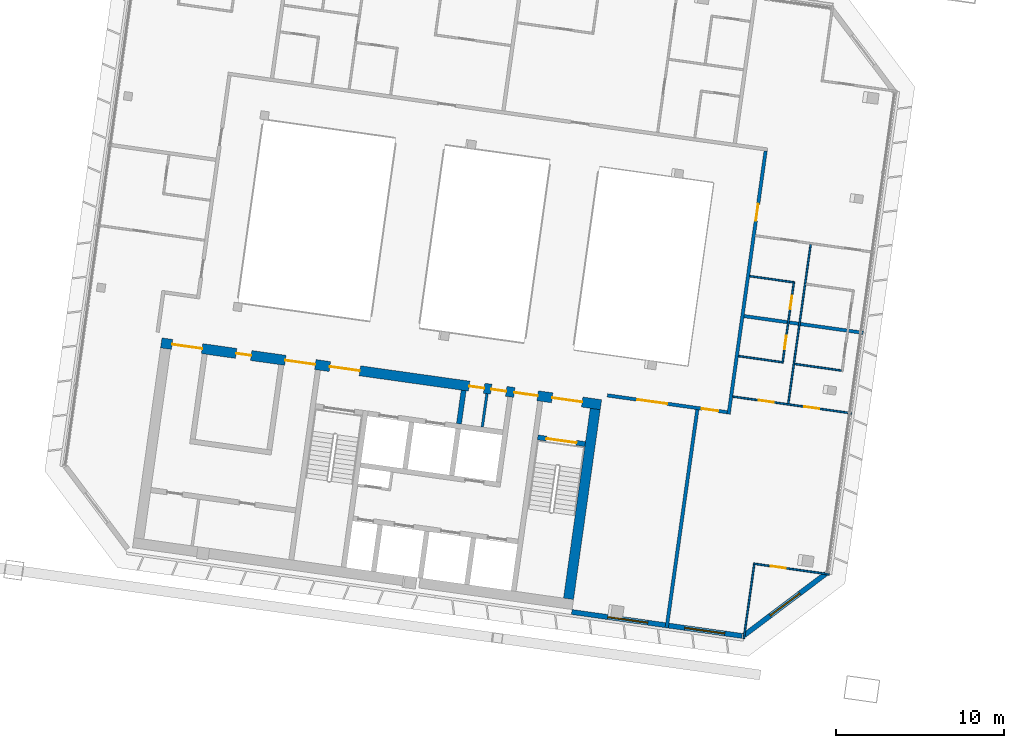
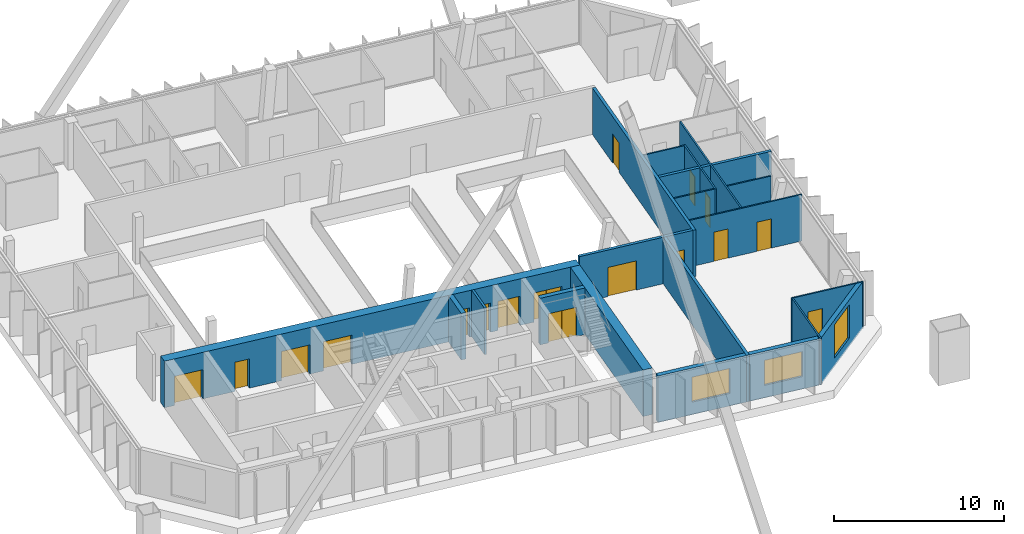
# One storey, part 20 of 28: 19 walls, 17 doors, 3 windows, 20 openings.
"""IFC4 building model written with IfcOpenShell, lengths in metres."""

from ifc_helpers import new_model, si_unit, direction, frame, frame_2d, origin, place, context, subcontext, project, spatial, rectangle, extrude, material, layer, layer_set, type_object, element, fill, save


model = new_model("IFC4")

# Units and contexts
model_context = context("Model", 3, precision=1e-05, world=origin(), true_north=direction((0.0, 1.0)))
body_context = subcontext(model_context, "Body", "Model", "MODEL_VIEW")
ifc_project = project(units=[si_unit("LENGTHUNIT", "METRE"), si_unit("AREAUNIT", "SQUARE_METRE"), si_unit("VOLUMEUNIT", "CUBIC_METRE"), si_unit("PLANEANGLEUNIT", "RADIAN"), si_unit("MASSUNIT", "GRAM", prefix="KILO")], contexts=[model_context])

# Site, building, storey
site_placement = place(None, origin())
site = spatial("IfcSite", under=ifc_project, at=site_placement, CompositionType="ELEMENT")
building_placement = place(site_placement, origin())
building = spatial("IfcBuilding", under=site, at=building_placement, Name="Mirante Cascada Hotel Towers", CompositionType="ELEMENT")
storey_placement = place(building_placement, frame((0.0, 0.0, 243.2)))
storey = spatial("IfcBuildingStorey", under=building, at=storey_placement, Name="L58", CompositionType="ELEMENT", Elevation=243.2)

# Wall, openings, doors
ifc_material_1 = material(Name="Fire-rated plasterboard on metal studs")
ifc_layer_1 = layer(ifc_material_1, 0.2)
ifc_layer_set_1 = layer_set([ifc_layer_1], Name="Compartment wall 200 EI 120")
wall_type_1 = type_object("IfcWallType", Name="Compartment wall 200 EI 120", PredefinedType="PARTITIONING", material=ifc_layer_set_1)
wall_1_placement = place(storey_placement, frame((-35.2634, -7.1173, 0.0), z_axis=(0.0, 0.0, 1.0), x_axis=(0.9902689, -0.1391674, 0.0)))
wall_1 = element("IfcWall", 1, at=wall_1_placement, inside=storey, type_object=wall_type_1, Name="Wall 1-L58-02", PredefinedType="PARTITIONING", context=body_context, shape_type="SweptSolid", body=[
    extrude(rectangle(XDim=7.2, YDim=0.2, at=frame_2d((3.6, 0.0))), origin(), (0.0, 0.0, 1.0), 3.35),
])
opening_1_placement = place(wall_1_placement, frame((5.6594, 0.0, 0.0)))
opening_1 = element("IfcOpeningElement", 2, at=opening_1_placement, cuts=wall_1, Name="Opening D1-L58-02", PredefinedType="OPENING", context=body_context, shape_type="SweptSolid", body=[
    extrude(rectangle(XDim=1.0, YDim=2.1, at=frame_2d((0.5, 1.05))), frame((0.0, 0.1, 0.0), z_axis=(0.0, -1.0, 0.0), x_axis=(1.0, 0.0, 0.0)), (0.0, 0.0, 1.0), 0.2),
])
opening_2_placement = place(wall_1_placement, frame((1.8094, 0.0, 0.0)))
opening_2 = element("IfcOpeningElement", 3, at=opening_2_placement, cuts=wall_1, Name="Opening D1-L58-03", PredefinedType="OPENING", context=body_context, shape_type="SweptSolid", body=[
    extrude(rectangle(XDim=1.8, YDim=2.1, at=frame_2d((0.9, 1.05))), frame((0.0, 0.1, 0.0), z_axis=(0.0, -1.0, 0.0), x_axis=(1.0, 0.0, 0.0)), (0.0, 0.0, 1.0), 0.2),
])
ifc_material_2 = material(Name="Fire-rated timber door leaf", Category="wood")
door_type_1 = type_object("IfcDoorType", Name="Entrance door DG1 1000x2100 EI 60", OperationType="SINGLE_SWING_LEFT", PredefinedType="DOOR", material=ifc_material_2)
door_1_placement = place(opening_1_placement, frame((1.0, 0.0, 0.0), z_axis=(0.0, 0.0, 1.0), x_axis=(-1.0, 0.0, 0.0)))
door_1 = element("IfcDoor", 4, at=door_1_placement, inside=storey, type_object=door_type_1, Name="Door D1-L58-02", OperationType="SINGLE_SWING_RIGHT", OverallHeight=2.1, OverallWidth=1.0, PredefinedType="DOOR", context=body_context, shape_type="SweptSolid", body=[
    extrude(rectangle(XDim=1.0, YDim=2.1, at=frame_2d((0.5, 1.05))), frame((0.0, 0.025, 0.0), z_axis=(0.0, -1.0, 0.0), x_axis=(1.0, 0.0, 0.0)), (0.0, 0.0, 1.0), 0.05),
])
fill(opening_1, door_1)
ifc_material_3 = material(Name="Fire-rated timber door leaf", Category="wood")
door_type_2 = type_object("IfcDoorType", Name="Suite double door DG2 1800x2100 EI 60", OperationType="DOUBLE_DOOR_SINGLE_SWING", PredefinedType="DOOR", material=ifc_material_3)
door_2_placement = place(opening_2_placement, origin())
door_2 = element("IfcDoor", 5, at=door_2_placement, inside=storey, type_object=door_type_2, Name="Door D1-L58-03", OperationType="DOUBLE_DOOR_SINGLE_SWING", OverallHeight=2.1, OverallWidth=1.8, PredefinedType="DOOR", context=body_context, shape_type="SweptSolid", body=[
    extrude(rectangle(XDim=0.895, YDim=2.1, at=frame_2d((0.4475, 1.05))), frame((0.0, 0.025, 0.0), z_axis=(0.0, -1.0, 0.0), x_axis=(1.0, 0.0, 0.0)), (0.0, 0.0, 1.0), 0.05),
    extrude(rectangle(XDim=0.895, YDim=2.1, at=frame_2d((1.3525, 1.05))), frame((0.0, 0.025, 0.0), z_axis=(0.0, -1.0, 0.0), x_axis=(1.0, 0.0, 0.0)), (0.0, 0.0, 1.0), 0.05),
])
fill(opening_2, door_2)

# Wall
wall_2_placement = place(storey_placement, frame((-20.0477, -3.3987, 0.0), z_axis=(0.0, 0.0, 1.0), x_axis=(-0.9902681, 0.1391732, 0.0)))
element("IfcWall", 6, at=wall_2_placement, inside=storey, type_object=wall_type_1, Name="Wall 1-L58-07", PredefinedType="PARTITIONING", context=body_context, shape_type="SweptSolid", body=[
    extrude(rectangle(XDim=7.1501, YDim=0.2, at=frame_2d((3.575, 0.0))), origin(), (0.0, 0.0, 1.0), 3.35),
])

# Wall, opening, door
wall_3_placement = place(storey_placement, frame((-25.8494, 7.414, 0.0), z_axis=(0.0, 0.0, 1.0), x_axis=(-0.1391766, -0.9902676, 0.0)))
wall_3 = element("IfcWall", 7, at=wall_3_placement, inside=storey, type_object=wall_type_1, Name="Wall 1-L58-32", PredefinedType="PARTITIONING", context=body_context, shape_type="SweptSolid", body=[
    extrude(rectangle(XDim=15.8001, YDim=0.2, at=frame_2d((7.9, 0.0))), origin(), (0.0, 0.0, 1.0), 3.35),
])
opening_3_placement = place(wall_3_placement, frame((3.1834, 0.0, 0.0)))
opening_3 = element("IfcOpeningElement", 8, at=opening_3_placement, cuts=wall_3, Name="Opening D1-L58-23", PredefinedType="OPENING", context=body_context, shape_type="SweptSolid", body=[
    extrude(rectangle(XDim=1.0, YDim=2.1, at=frame_2d((0.5, 1.05))), frame((0.0, 0.1, 0.0), z_axis=(0.0, -1.0, 0.0), x_axis=(1.0, 0.0, 0.0)), (0.0, 0.0, 1.0), 0.2),
])
door_3_placement = place(opening_3_placement, origin())
door_3 = element("IfcDoor", 9, at=door_3_placement, inside=storey, type_object=door_type_1, Name="Door D1-L58-23", OperationType="SINGLE_SWING_LEFT", OverallHeight=2.1, OverallWidth=1.0, PredefinedType="DOOR", context=body_context, shape_type="SweptSolid", body=[
    extrude(rectangle(XDim=1.0, YDim=2.1, at=frame_2d((0.5, 1.05))), frame((0.0, 0.025, 0.0), z_axis=(0.0, -1.0, 0.0), x_axis=(1.0, 0.0, 0.0)), (0.0, 0.0, 1.0), 0.05),
])
fill(opening_3, door_3)

# Walls
wall_4_placement = place(storey_placement, frame((-31.7344, -20.943, 0.0), z_axis=(0.0, 0.0, 1.0), x_axis=(0.1391682, 0.9902688, 0.0)))
element("IfcWall", 10, at=wall_4_placement, inside=storey, type_object=wall_type_1, Name="Wall 1-L58-33", PredefinedType="PARTITIONING", context=body_context, shape_type="SweptSolid", body=[
    extrude(rectangle(XDim=13.1, YDim=0.2, at=frame_2d((6.55, 0.0))), origin(), (0.0, 0.0, 1.0), 3.35),
])
ifc_material_4 = material(Name="Masonry block", Category="masonry")
ifc_layer_2 = layer(ifc_material_4, 0.15)
ifc_layer_set_2 = layer_set([ifc_layer_2], Name="Core room partition 150 block EI 30")
wall_type_2 = type_object("IfcWallType", Name="Core room partition 150 block EI 30", PredefinedType="PARTITIONING", material=ifc_layer_set_2)
wall_5_placement = place(storey_placement, frame((-42.6979, -9.0009, 0.0), z_axis=(0.0, 0.0, 1.0), x_axis=(0.1391529, 0.9902709, 0.0)))
element("IfcWall", 11, at=wall_5_placement, inside=storey, type_object=wall_type_2, Name="Core wall partition T1 L58 4", PredefinedType="PARTITIONING", context=body_context, shape_type="SweptSolid", body=[
    extrude(rectangle(XDim=2.0, YDim=0.15, at=frame_2d((1.0, 0.0))), origin(), (0.0, 0.0, 1.0), 3.35),
])
ifc_material_5 = material(Name="Masonry block", Category="masonry")
ifc_layer_3 = layer(ifc_material_5, 0.3)
ifc_layer_set_3 = layer_set([ifc_layer_3], Name="Core wall 300 block EI 120")
wall_type_3 = type_object("IfcWallType", Name="Core wall 300 block EI 120", PredefinedType="PARTITIONING", material=ifc_layer_set_3)
wall_6_placement = place(storey_placement, frame((-44.0843, -8.8061, 0.0), z_axis=(0.0, 0.0, 1.0), x_axis=(0.1391951, 0.990265, 0.0)))
element("IfcWall", 12, at=wall_6_placement, inside=storey, type_object=wall_type_3, Name="Core wall partition T1 L58 1", PredefinedType="PARTITIONING", context=body_context, shape_type="SweptSolid", body=[
    extrude(rectangle(XDim=2.0001, YDim=0.3, at=frame_2d((1.0001, 0.0))), origin(), (0.0, 0.0, 1.0), 3.35),
])

# Wall, opening, door
ifc_material_6 = material(Name="Plasterboard on metal studs")
ifc_layer_4 = layer(ifc_material_6, 0.1)
ifc_layer_set_4 = layer_set([ifc_layer_4], Name="Partition 100")
wall_type_4 = type_object("IfcWallType", Name="Partition 100", PredefinedType="PARTITIONING", material=ifc_layer_set_4)
wall_7_placement = place(storey_placement, frame((-22.0657, -17.7576, 0.0), z_axis=(0.0, 0.0, 1.0), x_axis=(-0.9902691, 0.1391656, 0.0)))
wall_7 = element("IfcWall", 13, at=wall_7_placement, inside=storey, type_object=wall_type_4, Name="Wall 1-L58-01", PredefinedType="PARTITIONING", context=body_context, shape_type="SweptSolid", body=[
    extrude(rectangle(XDim=4.55, YDim=0.1, at=frame_2d((2.275, 0.0))), origin(), (0.0, 0.0, 1.0), 3.35),
])
opening_4_placement = place(wall_7_placement, frame((2.6101, 0.0, 0.0)))
opening_4 = element("IfcOpeningElement", 14, at=opening_4_placement, cuts=wall_7, Name="Opening D1-L58-01", PredefinedType="OPENING", context=body_context, shape_type="SweptSolid", body=[
    extrude(rectangle(XDim=0.9, YDim=2.1, at=frame_2d((0.45, 1.05))), frame((0.0, 0.05, 0.0), z_axis=(0.0, -1.0, 0.0), x_axis=(1.0, 0.0, 0.0)), (0.0, 0.0, 1.0), 0.1),
])
ifc_material_7 = material(Name="Timber door leaf", Category="wood")
door_type_3 = type_object("IfcDoorType", Name="Room door DG3 900x2100", OperationType="SINGLE_SWING_LEFT", PredefinedType="DOOR", material=ifc_material_7)
door_4_placement = place(opening_4_placement, frame((0.9, 0.0, 0.0), z_axis=(0.0, 0.0, 1.0), x_axis=(-1.0, 0.0, 0.0)))
door_4 = element("IfcDoor", 15, at=door_4_placement, inside=storey, type_object=door_type_3, Name="Door D1-L58-01", OperationType="SINGLE_SWING_RIGHT", OverallHeight=2.1, OverallWidth=0.9, PredefinedType="DOOR", context=body_context, shape_type="SweptSolid", body=[
    extrude(rectangle(XDim=0.9, YDim=2.1, at=frame_2d((0.45, 1.05))), frame((0.0, 0.025, 0.0), z_axis=(0.0, -1.0, 0.0), x_axis=(1.0, 0.0, 0.0)), (0.0, 0.0, 1.0), 0.05),
])
fill(opening_4, door_4)

# Wall, openings, doors
wall_8_placement = place(storey_placement, frame((-20.7204, -8.185, 0.0), z_axis=(0.0, 0.0, 1.0), x_axis=(-0.9902681, 0.1391732, 0.0)))
wall_8 = element("IfcWall", 16, at=wall_8_placement, inside=storey, type_object=wall_type_4, Name="Wall 1-L58-03", PredefinedType="PARTITIONING", context=body_context, shape_type="SweptSolid", body=[
    extrude(rectangle(XDim=7.1501, YDim=0.1, at=frame_2d((3.575, 0.0))), origin(), (0.0, 0.0, 1.0), 3.35),
])
opening_5_placement = place(wall_8_placement, frame((1.95, 0.0, 0.0)))
opening_5 = element("IfcOpeningElement", 17, at=opening_5_placement, cuts=wall_8, Name="Opening D1-L58-04", PredefinedType="OPENING", context=body_context, shape_type="SweptSolid", body=[
    extrude(rectangle(XDim=0.9, YDim=2.1, at=frame_2d((0.45, 1.05))), frame((0.0, 0.05, 0.0), z_axis=(0.0, -1.0, 0.0), x_axis=(1.0, 0.0, 0.0)), (0.0, 0.0, 1.0), 0.1),
])
opening_6_placement = place(wall_8_placement, frame((4.6876, 0.0, 0.0)))
opening_6 = element("IfcOpeningElement", 18, at=opening_6_placement, cuts=wall_8, Name="Opening D1-L58-05", PredefinedType="OPENING", context=body_context, shape_type="SweptSolid", body=[
    extrude(rectangle(XDim=0.9, YDim=2.1, at=frame_2d((0.45, 1.05))), frame((0.0, 0.05, 0.0), z_axis=(0.0, -1.0, 0.0), x_axis=(1.0, 0.0, 0.0)), (0.0, 0.0, 1.0), 0.1),
])
door_5_placement = place(opening_5_placement, origin())
door_5 = element("IfcDoor", 19, at=door_5_placement, inside=storey, type_object=door_type_3, Name="Door D1-L58-04", OperationType="SINGLE_SWING_LEFT", OverallHeight=2.1, OverallWidth=0.9, PredefinedType="DOOR", context=body_context, shape_type="SweptSolid", body=[
    extrude(rectangle(XDim=0.9, YDim=2.1, at=frame_2d((0.45, 1.05))), frame((0.0, 0.025, 0.0), z_axis=(0.0, -1.0, 0.0), x_axis=(1.0, 0.0, 0.0)), (0.0, 0.0, 1.0), 0.05),
])
fill(opening_5, door_5)
door_6_placement = place(opening_6_placement, origin())
door_6 = element("IfcDoor", 20, at=door_6_placement, inside=storey, type_object=door_type_3, Name="Door D1-L58-05", OperationType="SINGLE_SWING_LEFT", OverallHeight=2.1, OverallWidth=0.9, PredefinedType="DOOR", context=body_context, shape_type="SweptSolid", body=[
    extrude(rectangle(XDim=0.9, YDim=2.1, at=frame_2d((0.45, 1.05))), frame((0.0, 0.025, 0.0), z_axis=(0.0, -1.0, 0.0), x_axis=(1.0, 0.0, 0.0)), (0.0, 0.0, 1.0), 0.05),
])
fill(opening_6, door_6)

# Walls
wall_9_placement = place(storey_placement, frame((-21.3473, -5.6396, 0.0), z_axis=(0.0, 0.0, 1.0), x_axis=(-0.9902726, 0.139141, 0.0)))
element("IfcWall", 21, at=wall_9_placement, inside=storey, type_object=wall_type_4, Name="Wall 1-L58-05", PredefinedType="PARTITIONING", context=body_context, shape_type="SweptSolid", body=[
    extrude(rectangle(XDim=2.8, YDim=0.1, at=frame_2d((1.4, 0.0))), origin(), (0.0, 0.0, 1.0), 3.35),
])
for number, where, z_axis, x_axis, name in (
    (22, (-27.4622, -4.7802, 0.0), (0.0, 0.0, 1.0), (0.9902662, -0.1391865, 0.0), "Wall 1-L58-06"),
    (23, (-26.7942, -0.027, 0.0), (0.0, 0.0, 1.0), (0.9902715, -0.1391488, 0.0), "Wall 1-L58-10"),
):
    element("IfcWall", number, at=place(storey_placement, frame(where, z_axis=z_axis, x_axis=x_axis)), inside=storey, type_object=wall_type_4, Name=name, PredefinedType="PARTITIONING", context=body_context, shape_type="SweptSolid", body=[
        extrude(rectangle(XDim=2.6001, YDim=0.1, at=frame_2d((1.3, 0.0))), origin(), (0.0, 0.0, 1.0), 3.35),
    ])
wall_10_placement = place(storey_placement, frame((-23.1699, 1.8704, 0.0), z_axis=(0.0, 0.0, 1.0), x_axis=(-0.1391717, -0.9902683, 0.0)))
element("IfcWall", 24, at=wall_10_placement, inside=storey, type_object=wall_type_4, Name="Wall 1-L58-28", PredefinedType="PARTITIONING", context=body_context, shape_type="SweptSolid", body=[
    extrude(rectangle(XDim=9.5666, YDim=0.1, at=frame_2d((4.7833, 0.0))), origin(), (0.0, 0.0, 1.0), 3.35),
])
wall_11_placement = place(storey_placement, frame((-27.1482, -21.5875, 0.0), z_axis=(0.0, 0.0, 1.0), x_axis=(0.1391684, 0.9902687, 0.0)))
element("IfcWall", 25, at=wall_11_placement, inside=storey, type_object=wall_type_4, Name="Wall 1-L58-29", PredefinedType="PARTITIONING", context=body_context, shape_type="SweptSolid", body=[
    extrude(rectangle(XDim=4.45, YDim=0.1, at=frame_2d((2.225, 0.0))), origin(), (0.0, 0.0, 1.0), 3.35),
])

# Wall, openings, doors
wall_12_placement = place(storey_placement, frame((-24.1629, -0.3463, 0.0), z_axis=(0.0, 0.0, 1.0), x_axis=(-0.1391838, -0.9902666, 0.0)))
wall_12 = element("IfcWall", 26, at=wall_12_placement, inside=storey, type_object=wall_type_4, Name="Wall 1-L58-30", PredefinedType="PARTITIONING", context=body_context, shape_type="SweptSolid", body=[
    extrude(rectangle(XDim=4.9, YDim=0.1, at=frame_2d((2.45, 0.0))), origin(), (0.0, 0.0, 1.0), 3.35),
])
opening_7_placement = place(wall_12_placement, frame((3.25, 0.0, 0.0)))
opening_7 = element("IfcOpeningElement", 27, at=opening_7_placement, cuts=wall_12, Name="Opening D1-L58-21", PredefinedType="OPENING", context=body_context, shape_type="SweptSolid", body=[
    extrude(rectangle(XDim=0.8, YDim=2.1, at=frame_2d((0.4, 1.05))), frame((0.0, 0.05, 0.0), z_axis=(0.0, -1.0, 0.0), x_axis=(1.0, 0.0, 0.0)), (0.0, 0.0, 1.0), 0.1),
])
opening_8_placement = place(wall_12_placement, frame((0.85, 0.0, 0.0)))
opening_8 = element("IfcOpeningElement", 28, at=opening_8_placement, cuts=wall_12, Name="Opening D1-L58-22", PredefinedType="OPENING", context=body_context, shape_type="SweptSolid", body=[
    extrude(rectangle(XDim=0.8, YDim=2.1, at=frame_2d((0.4, 1.05))), frame((0.0, 0.05, 0.0), z_axis=(0.0, -1.0, 0.0), x_axis=(1.0, 0.0, 0.0)), (0.0, 0.0, 1.0), 0.1),
])
ifc_material_8 = material(Name="Timber door leaf", Category="wood")
door_type_4 = type_object("IfcDoorType", Name="Bathroom door DG4 800x2100", OperationType="SINGLE_SWING_LEFT", PredefinedType="DOOR", material=ifc_material_8)
door_7_placement = place(opening_7_placement, frame((0.8, 0.0, 0.0), z_axis=(0.0, 0.0, 1.0), x_axis=(-1.0, 0.0, 0.0)))
door_7 = element("IfcDoor", 29, at=door_7_placement, inside=storey, type_object=door_type_4, Name="Door D1-L58-21", OperationType="SINGLE_SWING_RIGHT", OverallHeight=2.1, OverallWidth=0.8, PredefinedType="DOOR", context=body_context, shape_type="SweptSolid", body=[
    extrude(rectangle(XDim=0.8, YDim=2.1, at=frame_2d((0.4, 1.05))), frame((0.0, 0.025, 0.0), z_axis=(0.0, -1.0, 0.0), x_axis=(1.0, 0.0, 0.0)), (0.0, 0.0, 1.0), 0.05),
])
fill(opening_7, door_7)
door_8_placement = place(opening_8_placement, frame((0.8, 0.0, 0.0), z_axis=(0.0, 0.0, 1.0), x_axis=(-1.0, 0.0, 0.0)))
door_8 = element("IfcDoor", 30, at=door_8_placement, inside=storey, type_object=door_type_4, Name="Door D1-L58-22", OperationType="SINGLE_SWING_RIGHT", OverallHeight=2.1, OverallWidth=0.8, PredefinedType="DOOR", context=body_context, shape_type="SweptSolid", body=[
    extrude(rectangle(XDim=0.8, YDim=2.1, at=frame_2d((0.4, 1.05))), frame((0.0, 0.025, 0.0), z_axis=(0.0, -1.0, 0.0), x_axis=(1.0, 0.0, 0.0)), (0.0, 0.0, 1.0), 0.05),
])
fill(opening_8, door_8)

# Wall, openings, windows
ifc_material_9 = material(Name="Precast concrete C40/50", Category="concrete")
ifc_layer_5 = layer(ifc_material_9, 0.3)
ifc_layer_set_5 = layer_set([ifc_layer_5], Name="Precast concrete C40/50 cladding wall 300")
wall_type_5 = type_object("IfcWallType", Name="Precast concrete C40/50 cladding wall 300", PredefinedType="STANDARD", material=ifc_layer_set_5)
wall_13_placement = place(storey_placement, frame((-27.2503, -21.4217, 0.0), z_axis=(0.0, 0.0, 1.0), x_axis=(-0.9902677, 0.1391757, 0.0)))
wall_13 = element("IfcWall", 31, at=wall_13_placement, inside=storey, type_object=wall_type_5, Name="Rear cladding wall T1 L58 1", PredefinedType="STANDARD", context=body_context, shape_type="SweptSolid", body=[
    extrude(rectangle(XDim=10.2259, YDim=0.3, at=frame_2d((5.113, 0.0))), origin(), (0.0, 0.0, 1.0), 3.35),
])
opening_9_placement = place(wall_13_placement, frame((1.0459, 0.0, 0.9)))
opening_9 = element("IfcOpeningElement", 32, at=opening_9_placement, cuts=wall_13, Name="Opening W1-58-01", PredefinedType="OPENING", context=body_context, shape_type="SweptSolid", body=[
    extrude(rectangle(XDim=2.4, YDim=1.8, at=frame_2d((1.2, 0.9))), frame((0.0, 0.15, 0.0), z_axis=(0.0, -1.0, 0.0), x_axis=(1.0, 0.0, 0.0)), (0.0, 0.0, 1.0), 0.3),
])
opening_10_placement = place(wall_13_placement, frame((5.6616, 0.0, 0.9)))
opening_10 = element("IfcOpeningElement", 33, at=opening_10_placement, cuts=wall_13, Name="Opening W1-58-02", PredefinedType="OPENING", context=body_context, shape_type="SweptSolid", body=[
    extrude(rectangle(XDim=2.4, YDim=1.8, at=frame_2d((1.2, 0.9))), frame((0.0, 0.15, 0.0), z_axis=(0.0, -1.0, 0.0), x_axis=(1.0, 0.0, 0.0)), (0.0, 0.0, 1.0), 0.3),
])
ifc_material_10 = material(Name="Aluminium frame with clear double glazing", Category="aluminium")
window_type_1 = type_object("IfcWindowType", Name="Punched window 2400x1800", PartitioningType="DOUBLE_PANEL_VERTICAL", PredefinedType="WINDOW", material=ifc_material_10)
window_1_placement = place(opening_9_placement, origin())
window_1 = element("IfcWindow", 34, at=window_1_placement, inside=storey, type_object=window_type_1, Name="Window W1-58-01", OverallHeight=1.8, OverallWidth=2.4, PartitioningType="SINGLE_PANEL", PredefinedType="WINDOW", context=body_context, shape_type="SweptSolid", body=[
    extrude(rectangle(XDim=2.4, YDim=1.8, at=frame_2d((1.2, 0.9))), frame((0.0, 0.03, 0.0), z_axis=(0.0, -1.0, 0.0), x_axis=(1.0, 0.0, 0.0)), (0.0, 0.0, 1.0), 0.06),
])
fill(opening_9, window_1)
window_2_placement = place(opening_10_placement, origin())
window_2 = element("IfcWindow", 35, at=window_2_placement, inside=storey, type_object=window_type_1, Name="Window W1-58-02", OverallHeight=1.8, OverallWidth=2.4, PartitioningType="SINGLE_PANEL", PredefinedType="WINDOW", context=body_context, shape_type="SweptSolid", body=[
    extrude(rectangle(XDim=2.4, YDim=1.8, at=frame_2d((1.2, 0.9))), frame((0.0, 0.03, 0.0), z_axis=(0.0, -1.0, 0.0), x_axis=(1.0, 0.0, 0.0)), (0.0, 0.0, 1.0), 0.06),
])
fill(opening_10, window_2)

# Wall, opening, window
wall_14_placement = place(storey_placement, frame((-22.2552, -17.7125, 0.0), z_axis=(0.0, 0.0, 1.0), x_axis=(-0.7986362, -0.6018141, 0.0)))
wall_14 = element("IfcWall", 36, at=wall_14_placement, inside=storey, type_object=wall_type_5, Name="Corner cladding wall T1 L58 inner rear", PredefinedType="STANDARD", context=body_context, shape_type="SweptSolid", body=[
    extrude(rectangle(XDim=6.1157, YDim=0.3, at=frame_2d((3.0578, 0.0))), origin(), (0.0, 0.0, 1.0), 3.35),
])
opening_11_placement = place(wall_14_placement, frame((1.9578, 0.0, 0.6)))
opening_11 = element("IfcOpeningElement", 37, at=opening_11_placement, cuts=wall_14, Name="Opening W1-58-06", PredefinedType="OPENING", context=body_context, shape_type="SweptSolid", body=[
    extrude(rectangle(XDim=2.2, YDim=2.4, at=frame_2d((1.1, 1.2))), frame((0.0, 0.15, 0.0), z_axis=(0.0, -1.0, 0.0), x_axis=(1.0, 0.0, 0.0)), (0.0, 0.0, 1.0), 0.3),
])
ifc_material_11 = material(Name="Aluminium frame with clear double glazing", Category="aluminium")
window_type_2 = type_object("IfcWindowType", Name="Corner suite window 2200x2400", PartitioningType="DOUBLE_PANEL_VERTICAL", PredefinedType="WINDOW", material=ifc_material_11)
window_3_placement = place(opening_11_placement, origin())
window_3 = element("IfcWindow", 38, at=window_3_placement, inside=storey, type_object=window_type_2, Name="Window W1-58-06", OverallHeight=2.4, OverallWidth=2.2, PartitioningType="SINGLE_PANEL", PredefinedType="WINDOW", context=body_context, shape_type="SweptSolid", body=[
    extrude(rectangle(XDim=2.2, YDim=2.4, at=frame_2d((1.1, 1.2))), frame((0.0, 0.03, 0.0), z_axis=(0.0, -1.0, 0.0), x_axis=(1.0, 0.0, 0.0)), (0.0, 0.0, 1.0), 0.06),
])
fill(opening_11, window_3)

# Wall, opening, door
ifc_material_12 = material(Name="Concrete C50/60", Category="concrete")
ifc_layer_6 = layer(ifc_material_12, 0.3)
ifc_layer_set_6 = layer_set([ifc_layer_6], Name="RC core wall 300 C50/60")
wall_type_6 = type_object("IfcWallType", Name="RC core wall 300 C50/60", PredefinedType="SHEAR", material=ifc_layer_set_6)
wall_15_placement = place(storey_placement, frame((-36.5791, -10.0123, 0.0), z_axis=(0.0, 0.0, 1.0), x_axis=(-0.9902704, 0.1391564, 0.0)))
wall_15 = element("IfcWall", 39, at=wall_15_placement, inside=storey, type_object=wall_type_6, Name="Core wall T1:L58:8", PredefinedType="SHEAR", context=body_context, shape_type="SweptSolid", body=[
    extrude(rectangle(XDim=2.85, YDim=0.3, at=frame_2d((1.425, 0.0))), origin(), (0.0, 0.0, 1.0), 3.35),
])
opening_12_placement = place(wall_15_placement, frame((0.525, 0.0, 0.0)))
opening_12 = element("IfcOpeningElement", 40, at=opening_12_placement, cuts=wall_15, Name="Opening D1-58-C07", PredefinedType="OPENING", context=body_context, shape_type="SweptSolid", body=[
    extrude(rectangle(XDim=1.8, YDim=2.1, at=frame_2d((0.9, 1.05))), frame((0.0, 0.15, 0.0), z_axis=(0.0, -1.0, 0.0), x_axis=(1.0, 0.0, 0.0)), (0.0, 0.0, 1.0), 0.3),
])
ifc_material_13 = material(Name="Hollow metal fire door leaf")
door_type_5 = type_object("IfcDoorType", Name="Double fire door 1800x2100 FD60", OperationType="DOUBLE_DOOR_SINGLE_SWING", PredefinedType="DOOR", material=ifc_material_13)
door_9_placement = place(opening_12_placement, origin())
door_9 = element("IfcDoor", 41, at=door_9_placement, inside=storey, type_object=door_type_5, Name="Stair door T1 L58 7", OperationType="DOUBLE_DOOR_SINGLE_SWING", OverallHeight=2.1, OverallWidth=1.8, PredefinedType="DOOR", context=body_context, shape_type="SweptSolid", body=[
    extrude(rectangle(XDim=0.895, YDim=2.1, at=frame_2d((0.4475, 1.05))), frame((0.0, 0.025, 0.0), z_axis=(0.0, -1.0, 0.0), x_axis=(1.0, 0.0, 0.0)), (0.0, 0.0, 1.0), 0.05),
    extrude(rectangle(XDim=0.895, YDim=2.1, at=frame_2d((1.3525, 1.05))), frame((0.0, 0.025, 0.0), z_axis=(0.0, -1.0, 0.0), x_axis=(1.0, 0.0, 0.0)), (0.0, 0.0, 1.0), 0.05),
])
fill(opening_12, door_9)

# Wall, openings, doors
ifc_material_14 = material(Name="Concrete C50/60", Category="concrete")
ifc_layer_7 = layer(ifc_material_14, 0.6)
ifc_layer_set_7 = layer_set([ifc_layer_7], Name="RC core wall 600 C50/60")
wall_type_7 = type_object("IfcWallType", Name="RC core wall 600 C50/60", PredefinedType="SHEAR", material=ifc_layer_set_7)
wall_16_placement = place(storey_placement, frame((-35.644, -7.6697, 0.0), z_axis=(0.0, 0.0, 1.0), x_axis=(-0.9902679, 0.1391741, 0.0)))
wall_16 = element("IfcWall", 42, at=wall_16_placement, inside=storey, type_object=wall_type_7, Name="Core wall T1:L58:2", PredefinedType="SHEAR", context=body_context, shape_type="SweptSolid", body=[
    extrude(rectangle(XDim=26.4, YDim=0.6, at=frame_2d((13.2, 0.0))), origin(), (0.0, 0.0, 1.0), 3.35),
])
opening_13_placement = place(wall_16_placement, frame((1.125, 0.0, 0.0)))
opening_13 = element("IfcOpeningElement", 43, at=opening_13_placement, cuts=wall_16, Name="Opening D1-58-C08", PredefinedType="OPENING", context=body_context, shape_type="SweptSolid", body=[
    extrude(rectangle(XDim=1.8, YDim=2.1, at=frame_2d((0.9, 1.05))), frame((0.0, 0.3, 0.0), z_axis=(0.0, -1.0, 0.0), x_axis=(1.0, 0.0, 0.0)), (0.0, 0.0, 1.0), 0.6),
])
opening_14_placement = place(wall_16_placement, frame((14.475, 0.0, 0.0)))
opening_14 = element("IfcOpeningElement", 44, at=opening_14_placement, cuts=wall_16, Name="Opening D1-58-C10", PredefinedType="OPENING", context=body_context, shape_type="SweptSolid", body=[
    extrude(rectangle(XDim=1.8, YDim=2.1, at=frame_2d((0.9, 1.05))), frame((0.0, 0.3, 0.0), z_axis=(0.0, -1.0, 0.0), x_axis=(1.0, 0.0, 0.0)), (0.0, 0.0, 1.0), 0.6),
])
opening_15_placement = place(wall_16_placement, frame((3.8, 0.0, 0.0)))
opening_15 = element("IfcOpeningElement", 45, at=opening_15_placement, cuts=wall_16, Name="Opening D1-58-C11", PredefinedType="OPENING", context=body_context, shape_type="SweptSolid", body=[
    extrude(rectangle(XDim=1.4, YDim=2.1, at=frame_2d((0.7, 1.05))), frame((0.0, 0.3, 0.0), z_axis=(0.0, -1.0, 0.0), x_axis=(1.0, 0.0, 0.0)), (0.0, 0.0, 1.0), 0.6),
])
opening_16_placement = place(wall_16_placement, frame((17.15, 0.0, 0.0)))
opening_16 = element("IfcOpeningElement", 46, at=opening_16_placement, cuts=wall_16, Name="Opening D1-58-C12", PredefinedType="OPENING", context=body_context, shape_type="SweptSolid", body=[
    extrude(rectangle(XDim=1.8, YDim=2.1, at=frame_2d((0.9, 1.05))), frame((0.0, 0.3, 0.0), z_axis=(0.0, -1.0, 0.0), x_axis=(1.0, 0.0, 0.0)), (0.0, 0.0, 1.0), 0.6),
])
opening_17_placement = place(wall_16_placement, frame((23.95, 0.0, 0.0)))
opening_17 = element("IfcOpeningElement", 47, at=opening_17_placement, cuts=wall_16, Name="Opening D1-58-C13", PredefinedType="OPENING", context=body_context, shape_type="SweptSolid", body=[
    extrude(rectangle(XDim=1.8, YDim=2.1, at=frame_2d((0.9, 1.05))), frame((0.0, 0.3, 0.0), z_axis=(0.0, -1.0, 0.0), x_axis=(1.0, 0.0, 0.0)), (0.0, 0.0, 1.0), 0.6),
])
opening_18_placement = place(wall_16_placement, frame((5.6875, 0.0, 0.0)))
opening_18 = element("IfcOpeningElement", 48, at=opening_18_placement, cuts=wall_16, Name="Opening D1-58-C16", PredefinedType="OPENING", context=body_context, shape_type="SweptSolid", body=[
    extrude(rectangle(XDim=0.9, YDim=2.1, at=frame_2d((0.45, 1.05))), frame((0.0, 0.3, 0.0), z_axis=(0.0, -1.0, 0.0), x_axis=(1.0, 0.0, 0.0)), (0.0, 0.0, 1.0), 0.6),
])
opening_19_placement = place(wall_16_placement, frame((7.0125, 0.0, 0.0)))
opening_19 = element("IfcOpeningElement", 49, at=opening_19_placement, cuts=wall_16, Name="Opening D1-58-C17", PredefinedType="OPENING", context=body_context, shape_type="SweptSolid", body=[
    extrude(rectangle(XDim=0.9, YDim=2.1, at=frame_2d((0.45, 1.05))), frame((0.0, 0.3, 0.0), z_axis=(0.0, -1.0, 0.0), x_axis=(1.0, 0.0, 0.0)), (0.0, 0.0, 1.0), 0.6),
])
opening_20_placement = place(wall_16_placement, frame((21.0, 0.0, 0.0)))
opening_20 = element("IfcOpeningElement", 50, at=opening_20_placement, cuts=wall_16, Name="Opening D1-58-C20", PredefinedType="OPENING", context=body_context, shape_type="SweptSolid", body=[
    extrude(rectangle(XDim=0.9, YDim=2.1, at=frame_2d((0.45, 1.05))), frame((0.0, 0.3, 0.0), z_axis=(0.0, -1.0, 0.0), x_axis=(1.0, 0.0, 0.0)), (0.0, 0.0, 1.0), 0.6),
])
ifc_material_15 = material(Name="Hollow metal fire door leaf")
door_type_6 = type_object("IfcDoorType", Name="Double fire door 1400x2100 FD60", OperationType="DOUBLE_DOOR_SINGLE_SWING", PredefinedType="DOOR", material=ifc_material_15)
door_10_placement = place(opening_15_placement, frame((1.4, 0.0, 0.0), z_axis=(0.0, 0.0, 1.0), x_axis=(-1.0, 0.0, 0.0)))
door_10 = element("IfcDoor", 51, at=door_10_placement, inside=storey, type_object=door_type_6, Name="Exit door to gallery T1 L58 11", OperationType="DOUBLE_DOOR_SINGLE_SWING", OverallHeight=2.1, OverallWidth=1.4, PredefinedType="DOOR", context=body_context, shape_type="SweptSolid", body=[
    extrude(rectangle(XDim=0.695, YDim=2.1, at=frame_2d((0.3475, 1.05))), frame((0.0, 0.025, 0.0), z_axis=(0.0, -1.0, 0.0), x_axis=(1.0, 0.0, 0.0)), (0.0, 0.0, 1.0), 0.05),
    extrude(rectangle(XDim=0.695, YDim=2.1, at=frame_2d((1.0525, 1.05))), frame((0.0, 0.025, 0.0), z_axis=(0.0, -1.0, 0.0), x_axis=(1.0, 0.0, 0.0)), (0.0, 0.0, 1.0), 0.05),
])
fill(opening_15, door_10)
door_11_placement = place(opening_13_placement, origin())
door_11 = element("IfcDoor", 52, at=door_11_placement, inside=storey, type_object=door_type_5, Name="Exit door to gallery T1 L58 8", OperationType="DOUBLE_DOOR_SINGLE_SWING", OverallHeight=2.1, OverallWidth=1.8, PredefinedType="DOOR", context=body_context, shape_type="SweptSolid", body=[
    extrude(rectangle(XDim=0.895, YDim=2.1, at=frame_2d((0.4475, 1.05))), frame((0.0, 0.025, 0.0), z_axis=(0.0, -1.0, 0.0), x_axis=(1.0, 0.0, 0.0)), (0.0, 0.0, 1.0), 0.05),
    extrude(rectangle(XDim=0.895, YDim=2.1, at=frame_2d((1.3525, 1.05))), frame((0.0, 0.025, 0.0), z_axis=(0.0, -1.0, 0.0), x_axis=(1.0, 0.0, 0.0)), (0.0, 0.0, 1.0), 0.05),
])
fill(opening_13, door_11)
door_12_placement = place(opening_14_placement, origin())
door_12 = element("IfcDoor", 53, at=door_12_placement, inside=storey, type_object=door_type_5, Name="Exit door to gallery T1 L58 10", OperationType="DOUBLE_DOOR_SINGLE_SWING", OverallHeight=2.1, OverallWidth=1.8, PredefinedType="DOOR", context=body_context, shape_type="SweptSolid", body=[
    extrude(rectangle(XDim=0.895, YDim=2.1, at=frame_2d((0.4475, 1.05))), frame((0.0, 0.025, 0.0), z_axis=(0.0, -1.0, 0.0), x_axis=(1.0, 0.0, 0.0)), (0.0, 0.0, 1.0), 0.05),
    extrude(rectangle(XDim=0.895, YDim=2.1, at=frame_2d((1.3525, 1.05))), frame((0.0, 0.025, 0.0), z_axis=(0.0, -1.0, 0.0), x_axis=(1.0, 0.0, 0.0)), (0.0, 0.0, 1.0), 0.05),
])
fill(opening_14, door_12)
door_13_placement = place(opening_16_placement, frame((1.8, 0.0, 0.0), z_axis=(0.0, 0.0, 1.0), x_axis=(-1.0, 0.0, 0.0)))
door_13 = element("IfcDoor", 54, at=door_13_placement, inside=storey, type_object=door_type_5, Name="Exit door to gallery T1 L58 12", OperationType="DOUBLE_DOOR_SINGLE_SWING", OverallHeight=2.1, OverallWidth=1.8, PredefinedType="DOOR", context=body_context, shape_type="SweptSolid", body=[
    extrude(rectangle(XDim=0.895, YDim=2.1, at=frame_2d((0.4475, 1.05))), frame((0.0, 0.025, 0.0), z_axis=(0.0, -1.0, 0.0), x_axis=(1.0, 0.0, 0.0)), (0.0, 0.0, 1.0), 0.05),
    extrude(rectangle(XDim=0.895, YDim=2.1, at=frame_2d((1.3525, 1.05))), frame((0.0, 0.025, 0.0), z_axis=(0.0, -1.0, 0.0), x_axis=(1.0, 0.0, 0.0)), (0.0, 0.0, 1.0), 0.05),
])
fill(opening_16, door_13)
door_14_placement = place(opening_17_placement, frame((1.8, 0.0, 0.0), z_axis=(0.0, 0.0, 1.0), x_axis=(-1.0, 0.0, 0.0)))
door_14 = element("IfcDoor", 55, at=door_14_placement, inside=storey, type_object=door_type_5, Name="Exit door to gallery T1 L58 13", OperationType="DOUBLE_DOOR_SINGLE_SWING", OverallHeight=2.1, OverallWidth=1.8, PredefinedType="DOOR", context=body_context, shape_type="SweptSolid", body=[
    extrude(rectangle(XDim=0.895, YDim=2.1, at=frame_2d((0.4475, 1.05))), frame((0.0, 0.025, 0.0), z_axis=(0.0, -1.0, 0.0), x_axis=(1.0, 0.0, 0.0)), (0.0, 0.0, 1.0), 0.05),
    extrude(rectangle(XDim=0.895, YDim=2.1, at=frame_2d((1.3525, 1.05))), frame((0.0, 0.025, 0.0), z_axis=(0.0, -1.0, 0.0), x_axis=(1.0, 0.0, 0.0)), (0.0, 0.0, 1.0), 0.05),
])
fill(opening_17, door_14)
ifc_material_16 = material(Name="Hollow metal fire door leaf")
door_type_7 = type_object("IfcDoorType", Name="Fire door 900x2100 FD60", OperationType="NOTDEFINED", PredefinedType="DOOR", material=ifc_material_16)
door_15_placement = place(opening_18_placement, origin())
door_15 = element("IfcDoor", 56, at=door_15_placement, inside=storey, type_object=door_type_7, Name="Room door T1 L58 16", OperationType="SINGLE_SWING_RIGHT", OverallHeight=2.1, OverallWidth=0.9, PredefinedType="DOOR", context=body_context, shape_type="SweptSolid", body=[
    extrude(rectangle(XDim=0.9, YDim=2.1, at=frame_2d((0.45, 1.05))), frame((0.0, 0.025, 0.0), z_axis=(0.0, -1.0, 0.0), x_axis=(1.0, 0.0, 0.0)), (0.0, 0.0, 1.0), 0.05),
])
fill(opening_18, door_15)
door_16_placement = place(opening_19_placement, origin())
door_16 = element("IfcDoor", 57, at=door_16_placement, inside=storey, type_object=door_type_7, Name="Room door T1 L58 17", OperationType="SINGLE_SWING_RIGHT", OverallHeight=2.1, OverallWidth=0.9, PredefinedType="DOOR", context=body_context, shape_type="SweptSolid", body=[
    extrude(rectangle(XDim=0.9, YDim=2.1, at=frame_2d((0.45, 1.05))), frame((0.0, 0.025, 0.0), z_axis=(0.0, -1.0, 0.0), x_axis=(1.0, 0.0, 0.0)), (0.0, 0.0, 1.0), 0.05),
])
fill(opening_19, door_16)
door_17_placement = place(opening_20_placement, origin())
door_17 = element("IfcDoor", 58, at=door_17_placement, inside=storey, type_object=door_type_7, Name="Room door T1 L58 20", OperationType="SINGLE_SWING_LEFT", OverallHeight=2.1, OverallWidth=0.9, PredefinedType="DOOR", context=body_context, shape_type="SweptSolid", body=[
    extrude(rectangle(XDim=0.9, YDim=2.1, at=frame_2d((0.45, 1.05))), frame((0.0, 0.025, 0.0), z_axis=(0.0, -1.0, 0.0), x_axis=(1.0, 0.0, 0.0)), (0.0, 0.0, 1.0), 0.05),
])
fill(opening_20, door_17)

# Wall
wall_17_placement = place(storey_placement, frame((-37.5694, -19.2141, 0.0), z_axis=(0.0, 0.0, 1.0), x_axis=(0.1391749, 0.9902678, 0.0)))
element("IfcWall", 59, at=wall_17_placement, inside=storey, type_object=wall_type_7, Name="Core wall T1:L58:3", PredefinedType="SHEAR", context=body_context, shape_type="SweptSolid", body=[
    extrude(rectangle(XDim=11.4, YDim=0.6, at=frame_2d((5.7, 0.0))), origin(), (0.0, 0.0, 1.0), 3.35),
])

save(model, "model.ifc")
